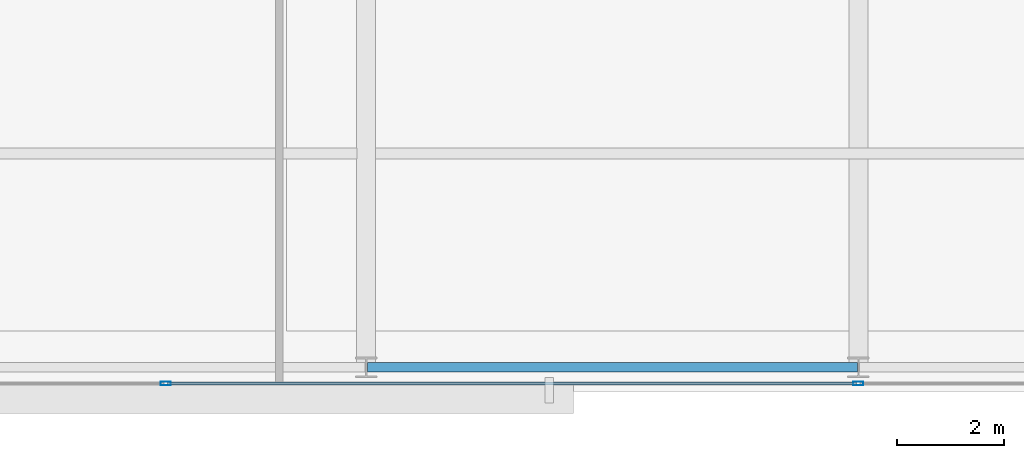
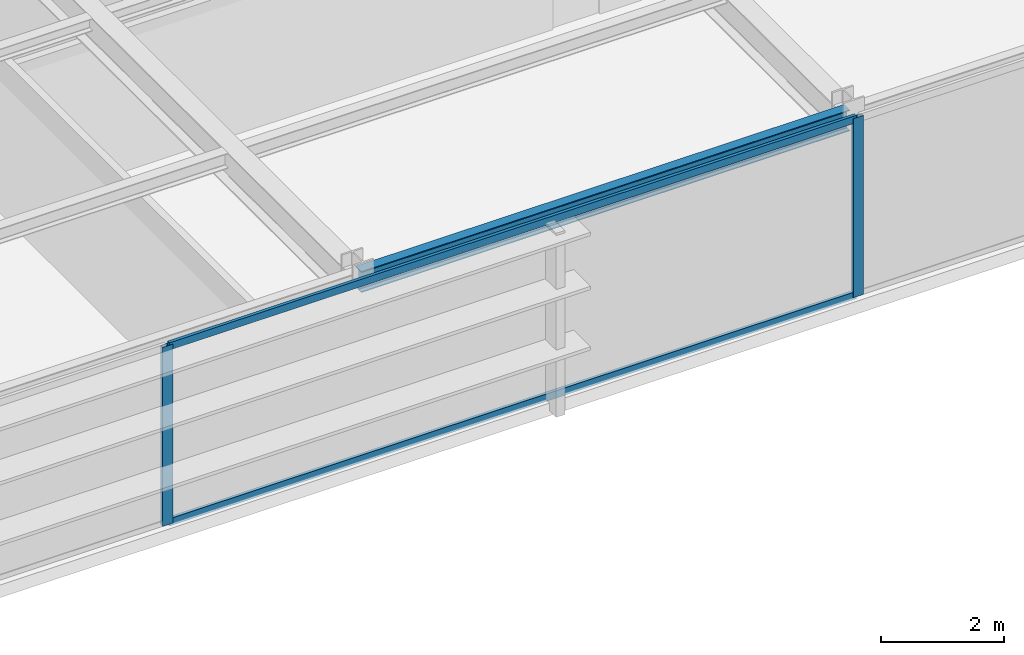
# One storey, part 8 of 30: 4 members, 1 beam, 1 element without a shape of its own.
"""IFC4 building model written with IfcOpenShell, lengths in metres."""

from ifc_helpers import new_model, si_unit, direction, frame, origin, origin_2d, place, context, subcontext, project, spatial, hollow_rectangle, i_section, extrude, source, transform, mapped, material, layer, layer_set, material_profile, profile_set, type_object, type_shapes, element, aggregate, save


model = new_model("IFC4")

# Units and contexts
model_context = context("Model", 3, precision=1e-05, world=origin(), true_north=direction((0.0, 1.0)))
body_context = subcontext(model_context, "Body", "Model", "MODEL_VIEW")
ifc_project = project(units=[si_unit("LENGTHUNIT", "METRE"), si_unit("AREAUNIT", "SQUARE_METRE"), si_unit("VOLUMEUNIT", "CUBIC_METRE"), si_unit("PLANEANGLEUNIT", "RADIAN"), si_unit("MASSUNIT", "GRAM", prefix="KILO")], contexts=[model_context])

# Site, building, storey
site_placement = place(None, origin())
site = spatial("IfcSite", under=ifc_project, at=site_placement, CompositionType="ELEMENT")
building_placement = place(site_placement, origin())
building = spatial("IfcBuilding", under=site, at=building_placement, Name="Varnel Quay Broadcast Tower", CompositionType="ELEMENT")
storey_placement = place(building_placement, frame((0.0, 0.0, 122.0)))
storey = spatial("IfcBuildingStorey", under=building, at=storey_placement, Name="L29", CompositionType="ELEMENT", Elevation=122.0)

# Beam
ifc_material_1 = material(Name="Structural Steel CSA G40.21 350W", Category="steel")
ifc_material_profile_1 = material_profile(ifc_material_1, i_section(OverallWidth=0.180908203125, OverallDepth=0.4169921875, WebThickness=0.010986328125, FlangeThickness=0.018310546875, FilletRadius=0.011962890625, at=origin_2d()), Name="W410X85")
ifc_profile_set_1 = profile_set([ifc_material_profile_1], Name="Structural Steel CSA G40.21 350W")
beam_type = type_object("IfcBeamType", Name="Beam_W410X85", PredefinedType="SPANDREL", material=ifc_profile_set_1)
shared_shape_1 = source(origin(), body_context, "Body", "SweptSolid", [
    extrude(i_section(OverallWidth=0.180908203125, OverallDepth=0.4169921875, WebThickness=0.010986328125, FlangeThickness=0.018310546875, FilletRadius=0.011962890625, at=origin_2d()), origin(), (0.0, 0.0, 1.0), 9.159912109375),
])
type_shapes(beam_type, [shared_shape_1])
beam_placement = place(storey_placement, frame((24.820068359375, 4.64990234375, 3.341552734375), z_axis=(1.0, 0.0, 0.0), x_axis=(0.0, 1.0, 0.0)))
element("IfcBeam", 1, at=beam_placement, inside=storey, type_object=beam_type, Name="L29 South Spandrel TC-S2-TC-S3", PredefinedType="SPANDREL", context=body_context, shape_type="MappedRepresentation", body=[
    mapped(shared_shape_1, transform((0.0, 0.0, 0.0), x_axis=(1.0, 0.0, 0.0), y_axis=(0.0, 1.0, 0.0), z_axis=(0.0, 0.0, 1.0), scale=1.0)),
])

# Curtain wall, members
ifc_material_2 = material(Name="Anodised Bronze Aluminium 6063-T6", Category="aluminium")
ifc_layer = layer(ifc_material_2, 0.18994140625, Name="Anodised Bronze Aluminium 6063-T6")
ifc_layer_set = layer_set([ifc_layer], Name="Anodised Bronze Aluminium 6063-T6")
curtain_wall_type = type_object("IfcCurtainWallType", Name="CW_LowerTower", PredefinedType="NOTDEFINED", material=ifc_layer_set)
curtain_wall_placement = place(storey_placement, origin())
curtain_wall = element("IfcCurtainWall", 2, at=curtain_wall_placement, inside=storey, type_object=curtain_wall_type, Name="L29 South Unitised Curtain Wall 1", PredefinedType="NOTDEFINED")
ifc_material_profile_2 = material_profile(ifc_material_2, hollow_rectangle(XDim=0.070068359375, YDim=0.18994140625, WallThickness=0.00390625, at=origin_2d()), Name="ALU70X190X4")
ifc_profile_set_2 = profile_set([ifc_material_profile_2], Name="Anodised Bronze Aluminium 6063-T6")
member_type_1 = type_object("IfcMemberType", Name="Mull_CWS-02", PredefinedType="MULLION", material=ifc_profile_set_2)
shared_shape_2 = source(origin(), body_context, "Body", "SweptSolid", [
    extrude(hollow_rectangle(XDim=0.070068359375, YDim=0.18994140625, WallThickness=0.00390625, at=origin_2d()), origin(), (0.0, 0.0, 1.0), 3.550048828125),
])
type_shapes(member_type_1, [shared_shape_2])
member_1_placement = place(storey_placement, frame((21.050048828125, 4.35009765625, 0.0), z_axis=(0.0, 0.0, 1.0), x_axis=(0.0, 1.0, 0.0)))
member_1 = element("IfcMember", 3, at=member_1_placement, type_object=member_type_1, Name="CWS-02 mullion 2", PredefinedType="MULLION", context=body_context, shape_type="MappedRepresentation", body=[
    mapped(shared_shape_2, transform((0.0, 0.0, 0.0), x_axis=(1.0, 0.0, 0.0), y_axis=(0.0, 1.0, 0.0), z_axis=(0.0, 0.0, 1.0), scale=1.0)),
])
member_2_placement = place(storey_placement, frame((34.0, 4.35009765625, 0.0), z_axis=(0.0, 0.0, 1.0), x_axis=(0.0, 1.0, 0.0)))
member_2 = element("IfcMember", 4, at=member_2_placement, type_object=member_type_1, Name="CWS-02 mullion 3", PredefinedType="MULLION", context=body_context, shape_type="MappedRepresentation", body=[
    mapped(shared_shape_2, transform((0.0, 0.0, 0.0), x_axis=(1.0, 0.0, 0.0), y_axis=(0.0, 1.0, 0.0), z_axis=(0.0, 0.0, 1.0), scale=1.0)),
])
ifc_material_profile_3 = material_profile(ifc_material_2, hollow_rectangle(XDim=0.06005859375, YDim=0.14501953125, WallThickness=0.00341796875, at=origin_2d()), Name="ALU60X145X3.5")
ifc_profile_set_3 = profile_set([ifc_material_profile_3], Name="Anodised Bronze Aluminium 6063-T6")
member_type_2 = type_object("IfcMemberType", Name="Tran_CWS-02", PredefinedType="USERDEFINED", material=ifc_profile_set_3)
shared_shape_3 = source(origin(), body_context, "Body", "SweptSolid", [
    extrude(hollow_rectangle(XDim=0.06005859375, YDim=0.14501953125, WallThickness=0.00341796875, at=origin_2d()), origin(), (0.0, 0.0, 1.0), 12.880126953125),
])
type_shapes(member_type_2, [shared_shape_3])
member_3_placement = place(storey_placement, frame((21.0849609375, 4.35009765625, 0.030029296875), z_axis=(1.0, 0.0, 0.0), x_axis=(0.0, 1.0, 0.0)))
member_3 = element("IfcMember", 5, at=member_3_placement, type_object=member_type_2, Name="CWS-02 transom 2.1", ObjectType="TRANSOM", PredefinedType="USERDEFINED", context=body_context, shape_type="MappedRepresentation", body=[
    mapped(shared_shape_3, transform((0.0, 0.0, 0.0), x_axis=(1.0, 0.0, 0.0), y_axis=(0.0, 1.0, 0.0), z_axis=(0.0, 0.0, 1.0), scale=1.0)),
])
member_4_placement = place(storey_placement, frame((21.0849609375, 4.35009765625, 3.52001953125), z_axis=(1.0, 0.0, 0.0), x_axis=(0.0, 1.0, 0.0)))
member_4 = element("IfcMember", 6, at=member_4_placement, type_object=member_type_2, Name="CWS-02 transom 2.2", ObjectType="TRANSOM", PredefinedType="USERDEFINED", context=body_context, shape_type="MappedRepresentation", body=[
    mapped(shared_shape_3, transform((0.0, 0.0, 0.0), x_axis=(1.0, 0.0, 0.0), y_axis=(0.0, 1.0, 0.0), z_axis=(0.0, 0.0, 1.0), scale=1.0)),
])
aggregate(curtain_wall, [member_1, member_2, member_3, member_4])

save(model, "model.ifc")
